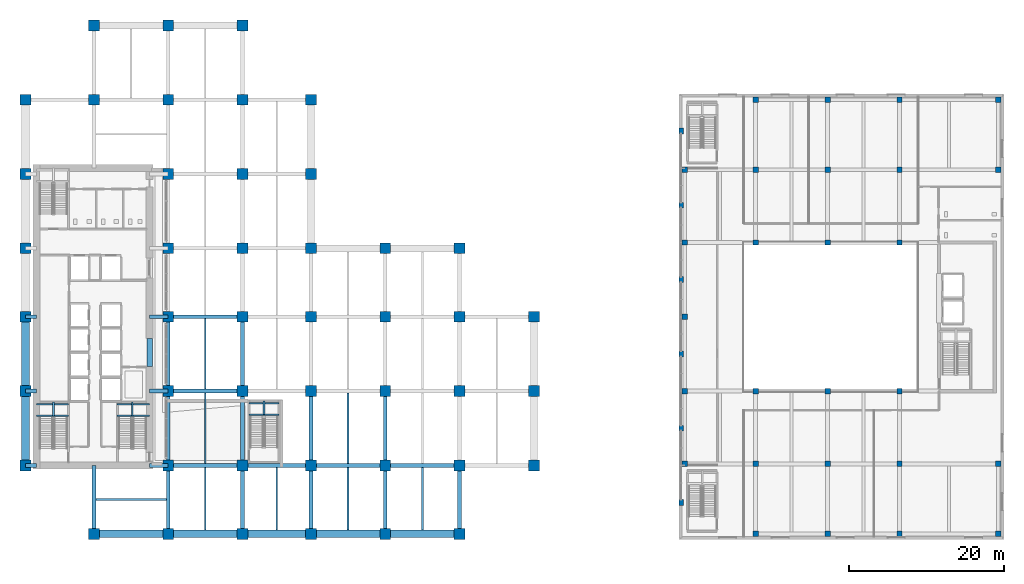
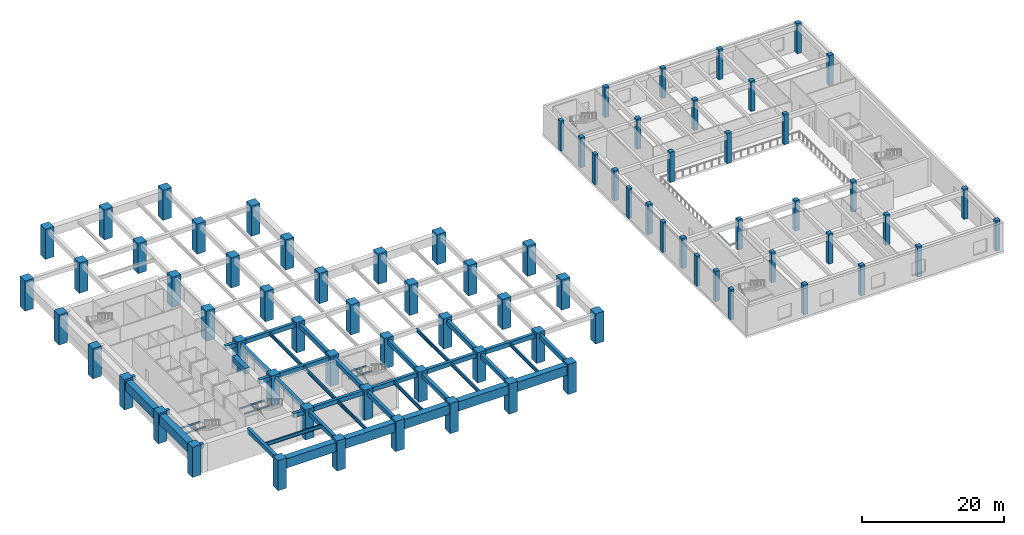
# One storey, part 1 of 22: 78 columns, 49 beams.
"""IFC4 building model written with IfcOpenShell, lengths in metres."""

from ifc_helpers import new_model, si_unit, direction, frame, origin, origin_2d, place, context, subcontext, project, spatial, rectangle, i_section, extrude, material, material_profile, profile_set, type_object, element, save


model = new_model("IFC4")

# Units and contexts
model_context = context("Model", 3, precision=1e-05, world=origin(), true_north=direction((0.0, 1.0)))
body_context = subcontext(model_context, "Body", "Model", "MODEL_VIEW")
ifc_project = project(units=[si_unit("LENGTHUNIT", "METRE"), si_unit("AREAUNIT", "SQUARE_METRE"), si_unit("VOLUMEUNIT", "CUBIC_METRE"), si_unit("PLANEANGLEUNIT", "RADIAN"), si_unit("MASSUNIT", "GRAM", prefix="KILO")], contexts=[model_context])

# Site, building, storey
site_placement = place(None, origin())
site = spatial("IfcSite", under=ifc_project, at=site_placement, CompositionType="ELEMENT")
building_placement = place(site_placement, origin())
building = spatial("IfcBuilding", under=site, at=building_placement, Name="Norrvale University Quadrangle", CompositionType="ELEMENT")
storey_placement = place(building_placement, frame((0.0, 0.0, 5.199951171875)))
storey = spatial("IfcBuildingStorey", under=building, at=storey_placement, Name="L01", CompositionType="ELEMENT", Elevation=5.199951171875)

# Columns
ifc_material_1 = material(Name="Concrete C60/75", Category="concrete")
ifc_material_profile_1 = material_profile(ifc_material_1, rectangle(XDim=0.550048828125, YDim=0.75, at=origin_2d()), Name="Concrete C60/75")
ifc_profile_set_1 = profile_set([ifc_material_profile_1], Name="Concrete C60/75")
column_type_1 = type_object("IfcColumnType", Name="Column Lib Colonnade 550", PredefinedType="PILASTER", material=ifc_profile_set_1)
for number, where, z_axis, x_axis, name in (
    (1, (85.5, 4.800048828125, 0.0), (0.0, 0.0, 1.0), (1.0, 0.0, 0.0), "Library Colonnade Pilaster L01-01"),
    (2, (85.5, 14.39990234375, 0.0), (0.0, 0.0, 1.0), (1.0, 0.0, 0.0), "Library Colonnade Pilaster L01-02"),
    (3, (85.5, 24.0, 0.0), (0.0, 0.0, 1.0), (1.0, 0.0, 0.0), "Library Colonnade Pilaster L01-03"),
    (4, (85.5, 33.60009765625, 0.0), (0.0, 0.0, 1.0), (1.0, 0.0, 0.0), "Library Colonnade Pilaster L01-04"),
    (5, (85.5, 43.199951171875, 0.0), (0.0, 0.0, 1.0), (1.0, 0.0, 0.0), "Library Colonnade Pilaster L01-05"),
    (6, (85.5, 52.800048828125, 0.0), (0.0, 0.0, 1.0), (1.0, 0.0, 0.0), "Library Colonnade Pilaster L01-06"),
):
    element("IfcColumn", number, at=place(storey_placement, frame(where, z_axis=z_axis, x_axis=x_axis)), inside=storey, type_object=column_type_1, Name=name, PredefinedType="PILASTER", context=body_context, shape_type="SweptSolid", body=[
        extrude(rectangle(XDim=0.550048828125, YDim=0.75, at=origin_2d()), origin(), (0.0, 0.0, 1.0), 5.199951171875),
    ])
ifc_material_profile_2 = material_profile(ifc_material_1, rectangle(XDim=0.699951171875, YDim=0.699951171875, at=origin_2d()), Name="Concrete C60/75")
ifc_profile_set_2 = profile_set([ifc_material_profile_2], Name="Concrete C60/75")
column_type_2 = type_object("IfcColumnType", Name="Column Lib 700x700", PredefinedType="COLUMN", material=ifc_profile_set_2)
for number, where, z_axis, x_axis, name in (
    (7, (85.949951171875, 9.800048828125, 0.0), (0.0, 0.0, 1.0), (1.0, 0.0, 0.0), "Library Column L01-L01"),
    (8, (85.949951171875, 19.199951171875, 0.0), (0.0, 0.0, 1.0), (1.0, 0.0, 0.0), "Library Column L01-L02"),
    (9, (85.949951171875, 28.800048828125, 0.0), (0.0, 0.0, 1.0), (1.0, 0.0, 0.0), "Library Column L01-L03"),
    (10, (85.949951171875, 38.39990234375, 0.0), (0.0, 0.0, 1.0), (1.0, 0.0, 0.0), "Library Column L01-L04"),
    (11, (85.949951171875, 47.800048828125, 0.0), (0.0, 0.0, 1.0), (1.0, 0.0, 0.0), "Library Column L01-L05"),
    (12, (95.10009765625, 0.75, 0.0), (0.0, 0.0, 1.0), (1.0, 0.0, 0.0), "Library Column L01-L06"),
    (13, (95.10009765625, 9.800048828125, 0.0), (0.0, 0.0, 1.0), (1.0, 0.0, 0.0), "Library Column L01-L07"),
    (14, (95.10009765625, 19.199951171875, 0.0), (0.0, 0.0, 1.0), (1.0, 0.0, 0.0), "Library Column L01-L08"),
    (15, (95.10009765625, 38.39990234375, 0.0), (0.0, 0.0, 1.0), (1.0, 0.0, 0.0), "Library Column L01-L09"),
    (16, (95.10009765625, 47.800048828125, 0.0), (0.0, 0.0, 1.0), (1.0, 0.0, 0.0), "Library Column L01-L10"),
    (17, (95.10009765625, 56.85009765625, 0.0), (0.0, 0.0, 1.0), (1.0, 0.0, 0.0), "Library Column L01-L11"),
    (18, (104.39990234375, 0.75, 0.0), (0.0, 0.0, 1.0), (1.0, 0.0, 0.0), "Library Column L01-L12"),
    (19, (104.39990234375, 9.800048828125, 0.0), (0.0, 0.0, 1.0), (1.0, 0.0, 0.0), "Library Column L01-L13"),
    (20, (104.39990234375, 19.199951171875, 0.0), (0.0, 0.0, 1.0), (1.0, 0.0, 0.0), "Library Column L01-L14"),
    (21, (104.39990234375, 38.39990234375, 0.0), (0.0, 0.0, 1.0), (1.0, 0.0, 0.0), "Library Column L01-L15"),
    (22, (104.39990234375, 47.800048828125, 0.0), (0.0, 0.0, 1.0), (1.0, 0.0, 0.0), "Library Column L01-L16"),
    (23, (104.39990234375, 56.85009765625, 0.0), (0.0, 0.0, 1.0), (1.0, 0.0, 0.0), "Library Column L01-L17"),
    (24, (113.699951171875, 0.75, 0.0), (0.0, 0.0, 1.0), (1.0, 0.0, 0.0), "Library Column L01-L18"),
    (25, (113.699951171875, 9.800048828125, 0.0), (0.0, 0.0, 1.0), (1.0, 0.0, 0.0), "Library Column L01-L19"),
    (26, (113.699951171875, 19.199951171875, 0.0), (0.0, 0.0, 1.0), (1.0, 0.0, 0.0), "Library Column L01-L20"),
    (27, (113.699951171875, 38.39990234375, 0.0), (0.0, 0.0, 1.0), (1.0, 0.0, 0.0), "Library Column L01-L21"),
    (28, (113.699951171875, 47.800048828125, 0.0), (0.0, 0.0, 1.0), (1.0, 0.0, 0.0), "Library Column L01-L22"),
    (29, (113.699951171875, 56.85009765625, 0.0), (0.0, 0.0, 1.0), (1.0, 0.0, 0.0), "Library Column L01-L23"),
    (30, (126.449951171875, 0.75, 0.0), (0.0, 0.0, 1.0), (1.0, 0.0, 0.0), "Library Column L01-L24"),
    (31, (126.449951171875, 9.800048828125, 0.0), (0.0, 0.0, 1.0), (1.0, 0.0, 0.0), "Library Column L01-L25"),
    (32, (126.449951171875, 47.800048828125, 0.0), (0.0, 0.0, 1.0), (1.0, 0.0, 0.0), "Library Column L01-L26"),
    (33, (126.449951171875, 56.85009765625, 0.0), (0.0, 0.0, 1.0), (1.0, 0.0, 0.0), "Library Column L01-L27"),
):
    element("IfcColumn", number, at=place(storey_placement, frame(where, z_axis=z_axis, x_axis=x_axis)), inside=storey, type_object=column_type_2, Name=name, PredefinedType="COLUMN", context=body_context, shape_type="SweptSolid", body=[
        extrude(rectangle(XDim=0.699951171875, YDim=0.699951171875, at=origin_2d()), origin(), (0.0, 0.0, 1.0), 5.199951171875),
    ])
ifc_material_2 = material(Name="Concrete C80/95", Category="concrete")
ifc_material_profile_3 = material_profile(ifc_material_2, rectangle(XDim=1.39990234375, YDim=1.39990234375, at=origin_2d()), Name="Concrete C80/95")
ifc_profile_set_3 = profile_set([ifc_material_profile_3], Name="Concrete C80/95")
column_type_3 = type_object("IfcColumnType", Name="Column Pilotis 1400x1400", PredefinedType="USERDEFINED", material=ifc_profile_set_3)
for number, where, z_axis, x_axis, name in (
    (34, (0.75, 9.60009765625, 0.0), (0.0, 0.0, 1.0), (1.0, 0.0, 0.0), "Tower Column L01-T01"),
    (35, (0.75, 19.199951171875, 0.0), (0.0, 0.0, 1.0), (1.0, 0.0, 0.0), "Tower Column L01-T02"),
    (36, (0.75, 28.800048828125, 0.0), (0.0, 0.0, 1.0), (1.0, 0.0, 0.0), "Tower Column L01-T03"),
    (37, (0.75, 37.64990234375, 0.0), (0.0, 0.0, 1.0), (1.0, 0.0, 0.0), "Tower Column L01-T04"),
    (38, (0.75, 47.25, 0.0), (0.0, 0.0, 1.0), (1.0, 0.0, 0.0), "Tower Column L01-T05"),
    (39, (0.75, 56.85009765625, 0.0), (0.0, 0.0, 1.0), (1.0, 0.0, 0.0), "Tower Column L01-T06"),
    (40, (9.60009765625, 0.75, 0.0), (0.0, 0.0, 1.0), (1.0, 0.0, 0.0), "Tower Column L01-T07"),
    (41, (9.60009765625, 56.85009765625, 0.0), (0.0, 0.0, 1.0), (1.0, 0.0, 0.0), "Tower Column L01-T08"),
    (42, (9.60009765625, 66.449951171875, 0.0), (0.0, 0.0, 1.0), (1.0, 0.0, 0.0), "Tower Column L01-T09"),
    (43, (19.199951171875, 0.75, 0.0), (0.0, 0.0, 1.0), (1.0, 0.0, 0.0), "Tower Column L01-T10"),
    (44, (19.199951171875, 9.60009765625, 0.0), (0.0, 0.0, 1.0), (1.0, 0.0, 0.0), "Tower Column L01-T11"),
    (45, (19.199951171875, 19.199951171875, 0.0), (0.0, 0.0, 1.0), (1.0, 0.0, 0.0), "Tower Column L01-T12"),
    (46, (19.199951171875, 28.800048828125, 0.0), (0.0, 0.0, 1.0), (1.0, 0.0, 0.0), "Tower Column L01-T13"),
    (47, (19.199951171875, 37.64990234375, 0.0), (0.0, 0.0, 1.0), (1.0, 0.0, 0.0), "Tower Column L01-T14"),
    (48, (19.199951171875, 47.25, 0.0), (0.0, 0.0, 1.0), (1.0, 0.0, 0.0), "Tower Column L01-T15"),
    (49, (19.199951171875, 56.85009765625, 0.0), (0.0, 0.0, 1.0), (1.0, 0.0, 0.0), "Tower Column L01-T16"),
    (50, (19.199951171875, 66.449951171875, 0.0), (0.0, 0.0, 1.0), (1.0, 0.0, 0.0), "Tower Column L01-T17"),
    (51, (28.800048828125, 0.75, 0.0), (0.0, 0.0, 1.0), (1.0, 0.0, 0.0), "Tower Column L01-T18"),
    (52, (28.800048828125, 9.60009765625, 0.0), (0.0, 0.0, 1.0), (1.0, 0.0, 0.0), "Tower Column L01-T19"),
    (53, (28.800048828125, 19.199951171875, 0.0), (0.0, 0.0, 1.0), (1.0, 0.0, 0.0), "Tower Column L01-T20"),
    (54, (28.800048828125, 28.800048828125, 0.0), (0.0, 0.0, 1.0), (1.0, 0.0, 0.0), "Tower Column L01-T21"),
    (55, (28.800048828125, 37.64990234375, 0.0), (0.0, 0.0, 1.0), (1.0, 0.0, 0.0), "Tower Column L01-T22"),
    (56, (28.800048828125, 47.25, 0.0), (0.0, 0.0, 1.0), (1.0, 0.0, 0.0), "Tower Column L01-T23"),
    (57, (28.800048828125, 56.85009765625, 0.0), (0.0, 0.0, 1.0), (1.0, 0.0, 0.0), "Tower Column L01-T24"),
    (58, (28.800048828125, 66.449951171875, 0.0), (0.0, 0.0, 1.0), (1.0, 0.0, 0.0), "Tower Column L01-T25"),
    (59, (37.64990234375, 0.75, 0.0), (0.0, 0.0, 1.0), (1.0, 0.0, 0.0), "Tower Column L01-T26"),
    (60, (37.64990234375, 9.60009765625, 0.0), (0.0, 0.0, 1.0), (1.0, 0.0, 0.0), "Tower Column L01-T27"),
    (61, (37.64990234375, 19.199951171875, 0.0), (0.0, 0.0, 1.0), (1.0, 0.0, 0.0), "Tower Column L01-T28"),
    (62, (37.64990234375, 28.800048828125, 0.0), (0.0, 0.0, 1.0), (1.0, 0.0, 0.0), "Tower Column L01-T29"),
    (63, (37.64990234375, 37.64990234375, 0.0), (0.0, 0.0, 1.0), (1.0, 0.0, 0.0), "Tower Column L01-T30"),
    (64, (37.64990234375, 47.25, 0.0), (0.0, 0.0, 1.0), (1.0, 0.0, 0.0), "Tower Column L01-T31"),
    (65, (37.64990234375, 56.85009765625, 0.0), (0.0, 0.0, 1.0), (1.0, 0.0, 0.0), "Tower Column L01-T32"),
    (66, (47.25, 0.75, 0.0), (0.0, 0.0, 1.0), (1.0, 0.0, 0.0), "Tower Column L01-T33"),
    (67, (47.25, 9.60009765625, 0.0), (0.0, 0.0, 1.0), (1.0, 0.0, 0.0), "Tower Column L01-T34"),
    (68, (47.25, 19.199951171875, 0.0), (0.0, 0.0, 1.0), (1.0, 0.0, 0.0), "Tower Column L01-T35"),
    (69, (47.25, 28.800048828125, 0.0), (0.0, 0.0, 1.0), (1.0, 0.0, 0.0), "Tower Column L01-T36"),
    (70, (47.25, 37.64990234375, 0.0), (0.0, 0.0, 1.0), (1.0, 0.0, 0.0), "Tower Column L01-T37"),
    (71, (56.85009765625, 0.75, 0.0), (0.0, 0.0, 1.0), (1.0, 0.0, 0.0), "Tower Column L01-T38"),
    (72, (56.85009765625, 9.60009765625, 0.0), (0.0, 0.0, 1.0), (1.0, 0.0, 0.0), "Tower Column L01-T39"),
    (73, (56.85009765625, 19.199951171875, 0.0), (0.0, 0.0, 1.0), (1.0, 0.0, 0.0), "Tower Column L01-T40"),
    (74, (56.85009765625, 28.800048828125, 0.0), (0.0, 0.0, 1.0), (1.0, 0.0, 0.0), "Tower Column L01-T41"),
    (75, (56.85009765625, 37.64990234375, 0.0), (0.0, 0.0, 1.0), (1.0, 0.0, 0.0), "Tower Column L01-T42"),
    (76, (66.449951171875, 9.60009765625, 0.0), (0.0, 0.0, 1.0), (1.0, 0.0, 0.0), "Tower Column L01-T43"),
    (77, (66.449951171875, 19.199951171875, 0.0), (0.0, 0.0, 1.0), (1.0, 0.0, 0.0), "Tower Column L01-T44"),
    (78, (66.449951171875, 28.800048828125, 0.0), (0.0, 0.0, 1.0), (1.0, 0.0, 0.0), "Tower Column L01-T45"),
):
    element("IfcColumn", number, at=place(storey_placement, frame(where, z_axis=z_axis, x_axis=x_axis)), inside=storey, type_object=column_type_3, Name=name, ObjectType="PILOTIS", PredefinedType="USERDEFINED", context=body_context, shape_type="SweptSolid", body=[
        extrude(rectangle(XDim=1.39990234375, YDim=1.39990234375, at=origin_2d()), origin(), (0.0, 0.0, 1.0), 5.199951171875),
    ])

# Beams
ifc_material_profile_4 = material_profile(ifc_material_2, rectangle(XDim=0.699951171875, YDim=0.949951171875, at=origin_2d()), Name="Concrete C80/95")
ifc_profile_set_4 = profile_set([ifc_material_profile_4], Name="Concrete C80/95")
beam_type_1 = type_object("IfcBeamType", Name="Beam Core Link 700x950", PredefinedType="LINTEL", material=ifc_profile_set_4)
beam_1_placement = place(storey_placement, frame((16.800048828125, 22.39990234375, 4.385009765625), z_axis=(0.0, 1.0, 0.0), x_axis=(-1.0, 0.0, 0.0)))
element("IfcBeam", 79, at=beam_1_placement, inside=storey, type_object=beam_type_1, Name="Core Coupling Lintel Beam L01-1", PredefinedType="LINTEL", context=body_context, shape_type="SweptSolid", body=[
    extrude(rectangle(XDim=0.699951171875, YDim=0.949951171875, at=origin_2d()), origin(), (0.0, 0.0, 1.0), 3.60009765625),
])
ifc_material_profile_5 = material_profile(ifc_material_1, rectangle(XDim=0.5, YDim=0.75, at=origin_2d()), Name="Concrete C60/75")
ifc_profile_set_5 = profile_set([ifc_material_profile_5], Name="Concrete C60/75")
beam_type_2 = type_object("IfcBeamType", Name="Beam Edge 500x750", PredefinedType="BEAM", material=ifc_profile_set_5)
beam_2_placement = place(storey_placement, frame((19.199951171875, 9.60009765625, 4.485107421875), z_axis=(1.0, 0.0, 0.0), x_axis=(0.0, 1.0, 0.0)))
element("IfcBeam", 80, at=beam_2_placement, inside=storey, type_object=beam_type_2, Name="Beam Edge 500x750 BM-L01-GX001", PredefinedType="BEAM", context=body_context, shape_type="SweptSolid", body=[
    extrude(rectangle(XDim=0.5, YDim=0.75, at=origin_2d()), origin(), (0.0, 0.0, 1.0), 9.60009765625),
])
beam_3_placement = place(storey_placement, frame((28.800048828125, 9.60009765625, 4.485107421875), z_axis=(1.0, 0.0, 0.0), x_axis=(0.0, 1.0, 0.0)))
element("IfcBeam", 81, at=beam_3_placement, inside=storey, type_object=beam_type_2, Name="Beam Edge 500x750 BM-L01-GX002", PredefinedType="BEAM", context=body_context, shape_type="SweptSolid", body=[
    extrude(rectangle(XDim=0.5, YDim=0.75, at=origin_2d()), origin(), (0.0, 0.0, 1.0), 8.849853515625),
])
for number, where, z_axis, x_axis, name in (
    (82, (37.64990234375, 9.60009765625, 4.485107421875), (1.0, 0.0, 0.0), (0.0, 1.0, 0.0), "Beam Edge 500x750 BM-L01-GX003"),
    (83, (47.25, 9.60009765625, 4.485107421875), (1.0, 0.0, 0.0), (0.0, 1.0, 0.0), "Beam Edge 500x750 BM-L01-GX004"),
    (84, (19.199951171875, 19.199951171875, 4.485107421875), (1.0, 0.0, 0.0), (0.0, 1.0, 0.0), "Beam Edge 500x750 BM-L01-GX006"),
    (85, (19.199951171875, 28.800048828125, 4.485107421875), (1.0, 0.0, 0.0), (0.0, 1.0, 0.0), "Beam Edge 500x750 BM-L01-GX011"),
):
    element("IfcBeam", number, at=place(storey_placement, frame(where, z_axis=z_axis, x_axis=x_axis)), inside=storey, type_object=beam_type_2, Name=name, PredefinedType="BEAM", context=body_context, shape_type="SweptSolid", body=[
        extrude(rectangle(XDim=0.5, YDim=0.75, at=origin_2d()), origin(), (0.0, 0.0, 1.0), 9.60009765625),
    ])
beam_4_placement = place(storey_placement, frame((19.199951171875, 0.75, 4.485107421875), z_axis=(0.0, 1.0, 0.0), x_axis=(-1.0, 0.0, 0.0)))
element("IfcBeam", 86, at=beam_4_placement, inside=storey, type_object=beam_type_2, Name="Beam Edge 500x750 BM-L01-GY025", PredefinedType="BEAM", context=body_context, shape_type="SweptSolid", body=[
    extrude(rectangle(XDim=0.5, YDim=0.75, at=origin_2d()), origin(), (0.0, 0.0, 1.0), 8.85009765625),
])
beam_5_placement = place(storey_placement, frame((19.199951171875, 9.60009765625, 4.485107421875), z_axis=(0.0, 1.0, 0.0), x_axis=(-1.0, 0.0, 0.0)))
element("IfcBeam", 87, at=beam_5_placement, inside=storey, type_object=beam_type_2, Name="Beam Edge 500x750 BM-L01-GY026", PredefinedType="BEAM", context=body_context, shape_type="SweptSolid", body=[
    extrude(rectangle(XDim=0.5, YDim=0.75, at=origin_2d()), origin(), (0.0, 0.0, 1.0), 9.599853515625),
])
beam_6_placement = place(storey_placement, frame((19.199951171875, 19.199951171875, 4.485107421875), z_axis=(0.0, 1.0, 0.0), x_axis=(-1.0, 0.0, 0.0)))
element("IfcBeam", 88, at=beam_6_placement, inside=storey, type_object=beam_type_2, Name="Beam Edge 500x750 BM-L01-GY027", PredefinedType="BEAM", context=body_context, shape_type="SweptSolid", body=[
    extrude(rectangle(XDim=0.5, YDim=0.75, at=origin_2d()), origin(), (0.0, 0.0, 1.0), 9.60009765625),
])
beam_7_placement = place(storey_placement, frame((28.800048828125, 0.75, 4.485107421875), z_axis=(0.0, 1.0, 0.0), x_axis=(-1.0, 0.0, 0.0)))
element("IfcBeam", 89, at=beam_7_placement, inside=storey, type_object=beam_type_2, Name="Beam Edge 500x750 BM-L01-GY032", PredefinedType="BEAM", context=body_context, shape_type="SweptSolid", body=[
    extrude(rectangle(XDim=0.5, YDim=0.75, at=origin_2d()), origin(), (0.0, 0.0, 1.0), 8.85009765625),
])
beam_8_placement = place(storey_placement, frame((28.800048828125, 9.60009765625, 4.485107421875), z_axis=(0.0, 1.0, 0.0), x_axis=(-1.0, 0.0, 0.0)))
element("IfcBeam", 90, at=beam_8_placement, inside=storey, type_object=beam_type_2, Name="Beam Edge 500x750 BM-L01-GY033", PredefinedType="BEAM", context=body_context, shape_type="SweptSolid", body=[
    extrude(rectangle(XDim=0.5, YDim=0.75, at=origin_2d()), origin(), (0.0, 0.0, 1.0), 9.599853515625),
])
beam_9_placement = place(storey_placement, frame((28.800048828125, 19.199951171875, 4.485107421875), z_axis=(0.0, 1.0, 0.0), x_axis=(-1.0, 0.0, 0.0)))
element("IfcBeam", 91, at=beam_9_placement, inside=storey, type_object=beam_type_2, Name="Beam Edge 500x750 BM-L01-GY034", PredefinedType="BEAM", context=body_context, shape_type="SweptSolid", body=[
    extrude(rectangle(XDim=0.5, YDim=0.75, at=origin_2d()), origin(), (0.0, 0.0, 1.0), 9.60009765625),
])
beam_10_placement = place(storey_placement, frame((37.64990234375, 0.75, 4.485107421875), z_axis=(0.0, 1.0, 0.0), x_axis=(-1.0, 0.0, 0.0)))
element("IfcBeam", 92, at=beam_10_placement, inside=storey, type_object=beam_type_2, Name="Beam Edge 500x750 BM-L01-GY039", PredefinedType="BEAM", context=body_context, shape_type="SweptSolid", body=[
    extrude(rectangle(XDim=0.5, YDim=0.75, at=origin_2d()), origin(), (0.0, 0.0, 1.0), 8.85009765625),
])
beam_11_placement = place(storey_placement, frame((37.64990234375, 9.60009765625, 4.485107421875), z_axis=(0.0, 1.0, 0.0), x_axis=(-1.0, 0.0, 0.0)))
element("IfcBeam", 93, at=beam_11_placement, inside=storey, type_object=beam_type_2, Name="Beam Edge 500x750 BM-L01-GY040", PredefinedType="BEAM", context=body_context, shape_type="SweptSolid", body=[
    extrude(rectangle(XDim=0.5, YDim=0.75, at=origin_2d()), origin(), (0.0, 0.0, 1.0), 9.599853515625),
])
beam_12_placement = place(storey_placement, frame((47.25, 0.75, 4.485107421875), z_axis=(0.0, 1.0, 0.0), x_axis=(-1.0, 0.0, 0.0)))
element("IfcBeam", 94, at=beam_12_placement, inside=storey, type_object=beam_type_2, Name="Beam Edge 500x750 BM-L01-GY043", PredefinedType="BEAM", context=body_context, shape_type="SweptSolid", body=[
    extrude(rectangle(XDim=0.5, YDim=0.75, at=origin_2d()), origin(), (0.0, 0.0, 1.0), 8.85009765625),
])
beam_13_placement = place(storey_placement, frame((47.25, 9.60009765625, 4.485107421875), z_axis=(0.0, 1.0, 0.0), x_axis=(-1.0, 0.0, 0.0)))
element("IfcBeam", 95, at=beam_13_placement, inside=storey, type_object=beam_type_2, Name="Beam Edge 500x750 BM-L01-GY044", PredefinedType="BEAM", context=body_context, shape_type="SweptSolid", body=[
    extrude(rectangle(XDim=0.5, YDim=0.75, at=origin_2d()), origin(), (0.0, 0.0, 1.0), 9.599853515625),
])
beam_14_placement = place(storey_placement, frame((56.85009765625, 0.75, 4.485107421875), z_axis=(0.0, 1.0, 0.0), x_axis=(-1.0, 0.0, 0.0)))
element("IfcBeam", 96, at=beam_14_placement, inside=storey, type_object=beam_type_2, Name="Beam Edge 500x750 BM-L01-GY047", PredefinedType="BEAM", context=body_context, shape_type="SweptSolid", body=[
    extrude(rectangle(XDim=0.5, YDim=0.75, at=origin_2d()), origin(), (0.0, 0.0, 1.0), 8.85009765625),
])
beam_15_placement = place(storey_placement, frame((0.75, 9.60009765625, 4.485107421875), z_axis=(1.0, 0.0, 0.0), x_axis=(0.0, 1.0, 0.0)))
element("IfcBeam", 97, at=beam_15_placement, inside=storey, type_object=beam_type_2, Name="Beam Edge 500x750 BM-L01-GCW051", PredefinedType="BEAM", context=body_context, shape_type="SweptSolid", body=[
    extrude(rectangle(XDim=0.5, YDim=0.75, at=origin_2d()), origin(), (0.0, 0.0, 1.0), 1.449951171875),
])
beam_16_placement = place(storey_placement, frame((16.800048828125, 9.60009765625, 4.485107421875), z_axis=(1.0, 0.0, 0.0), x_axis=(0.0, 1.0, 0.0)))
element("IfcBeam", 98, at=beam_16_placement, inside=storey, type_object=beam_type_2, Name="Beam Edge 500x750 BM-L01-GCE052", PredefinedType="BEAM", context=body_context, shape_type="SweptSolid", body=[
    extrude(rectangle(XDim=0.5, YDim=0.75, at=origin_2d()), origin(), (0.0, 0.0, 1.0), 2.39990234375),
])
beam_17_placement = place(storey_placement, frame((0.75, 19.199951171875, 4.485107421875), z_axis=(1.0, 0.0, 0.0), x_axis=(0.0, 1.0, 0.0)))
element("IfcBeam", 99, at=beam_17_placement, inside=storey, type_object=beam_type_2, Name="Beam Edge 500x750 BM-L01-GCW053", PredefinedType="BEAM", context=body_context, shape_type="SweptSolid", body=[
    extrude(rectangle(XDim=0.5, YDim=0.75, at=origin_2d()), origin(), (0.0, 0.0, 1.0), 1.449951171875),
])
beam_18_placement = place(storey_placement, frame((16.800048828125, 19.199951171875, 4.485107421875), z_axis=(1.0, 0.0, 0.0), x_axis=(0.0, 1.0, 0.0)))
element("IfcBeam", 100, at=beam_18_placement, inside=storey, type_object=beam_type_2, Name="Beam Edge 500x750 BM-L01-GCE054", PredefinedType="BEAM", context=body_context, shape_type="SweptSolid", body=[
    extrude(rectangle(XDim=0.5, YDim=0.75, at=origin_2d()), origin(), (0.0, 0.0, 1.0), 2.39990234375),
])
beam_19_placement = place(storey_placement, frame((0.75, 28.800048828125, 4.485107421875), z_axis=(1.0, 0.0, 0.0), x_axis=(0.0, 1.0, 0.0)))
element("IfcBeam", 101, at=beam_19_placement, inside=storey, type_object=beam_type_2, Name="Beam Edge 500x750 BM-L01-GCW055", PredefinedType="BEAM", context=body_context, shape_type="SweptSolid", body=[
    extrude(rectangle(XDim=0.5, YDim=0.75, at=origin_2d()), origin(), (0.0, 0.0, 1.0), 1.449951171875),
])
beam_20_placement = place(storey_placement, frame((16.800048828125, 28.800048828125, 4.485107421875), z_axis=(1.0, 0.0, 0.0), x_axis=(0.0, 1.0, 0.0)))
element("IfcBeam", 102, at=beam_20_placement, inside=storey, type_object=beam_type_2, Name="Beam Edge 500x750 BM-L01-GCE056", PredefinedType="BEAM", context=body_context, shape_type="SweptSolid", body=[
    extrude(rectangle(XDim=0.5, YDim=0.75, at=origin_2d()), origin(), (0.0, 0.0, 1.0), 2.39990234375),
])
beam_21_placement = place(storey_placement, frame((9.60009765625, 0.75, 4.485107421875), z_axis=(0.0, 1.0, 0.0), x_axis=(-1.0, 0.0, 0.0)))
element("IfcBeam", 103, at=beam_21_placement, inside=storey, type_object=beam_type_2, Name="Beam Edge 500x750 BM-L01-GCS084", PredefinedType="BEAM", context=body_context, shape_type="SweptSolid", body=[
    extrude(rectangle(XDim=0.5, YDim=0.75, at=origin_2d()), origin(), (0.0, 0.0, 1.0), 8.85009765625),
])
ifc_material_3 = material(Name="Steel 350W", Category="steel")
ifc_material_profile_6 = material_profile(ifc_material_3, i_section(OverallWidth=0.22998046875, OverallDepth=0.616943359375, WebThickness=0.01318359375, FlangeThickness=0.022216796875, FilletRadius=0.01611328125, at=origin_2d()), Name="Steel 350W")
ifc_profile_set_6 = profile_set([ifc_material_profile_6], Name="Steel 350W")
beam_type_3 = type_object("IfcBeamType", Name="Beam Floor W610x140", PredefinedType="BEAM", material=ifc_profile_set_6)
beam_22_placement = place(storey_placement, frame((24.0, 1.25, 4.551513671875), z_axis=(0.0, 1.0, 0.0), x_axis=(-1.0, 0.0, 0.0)))
element("IfcBeam", 104, at=beam_22_placement, inside=storey, type_object=beam_type_3, Name="Beam Floor W610x140 BM-L01-J062", PredefinedType="BEAM", context=body_context, shape_type="SweptSolid", body=[
    extrude(i_section(OverallWidth=0.22998046875, OverallDepth=0.616943359375, WebThickness=0.01318359375, FlangeThickness=0.022216796875, FilletRadius=0.01611328125, at=origin_2d()), origin(), (0.0, 0.0, 1.0), 8.10009765625),
])
beam_23_placement = place(storey_placement, frame((24.0, 9.85009765625, 4.551513671875), z_axis=(0.0, 1.0, 0.0), x_axis=(-1.0, 0.0, 0.0)))
element("IfcBeam", 105, at=beam_23_placement, inside=storey, type_object=beam_type_3, Name="Beam Floor W610x140 BM-L01-J063", PredefinedType="BEAM", context=body_context, shape_type="SweptSolid", body=[
    extrude(i_section(OverallWidth=0.22998046875, OverallDepth=0.616943359375, WebThickness=0.01318359375, FlangeThickness=0.022216796875, FilletRadius=0.01611328125, at=origin_2d()), origin(), (0.0, 0.0, 1.0), 9.099853515625),
])
beam_24_placement = place(storey_placement, frame((24.0, 19.449951171875, 4.551513671875), z_axis=(0.0, 1.0, 0.0), x_axis=(-1.0, 0.0, 0.0)))
element("IfcBeam", 106, at=beam_24_placement, inside=storey, type_object=beam_type_3, Name="Beam Floor W610x140 BM-L01-J064", PredefinedType="BEAM", context=body_context, shape_type="SweptSolid", body=[
    extrude(i_section(OverallWidth=0.22998046875, OverallDepth=0.616943359375, WebThickness=0.01318359375, FlangeThickness=0.022216796875, FilletRadius=0.01611328125, at=origin_2d()), origin(), (0.0, 0.0, 1.0), 9.10009765625),
])
for number, where, z_axis, x_axis, name in (
    (107, (33.22509765625, 1.25, 4.551513671875), (0.0, 1.0, 0.0), (-1.0, 0.0, 0.0), "Beam Floor W610x140 BM-L01-J069"),
    (108, (42.449951171875, 1.25, 4.551513671875), (0.0, 1.0, 0.0), (-1.0, 0.0, 0.0), "Beam Floor W610x140 BM-L01-J074"),
):
    element("IfcBeam", number, at=place(storey_placement, frame(where, z_axis=z_axis, x_axis=x_axis)), inside=storey, type_object=beam_type_3, Name=name, PredefinedType="BEAM", context=body_context, shape_type="SweptSolid", body=[
        extrude(i_section(OverallWidth=0.22998046875, OverallDepth=0.616943359375, WebThickness=0.01318359375, FlangeThickness=0.022216796875, FilletRadius=0.01611328125, at=origin_2d()), origin(), (0.0, 0.0, 1.0), 8.10009765625),
    ])
beam_25_placement = place(storey_placement, frame((42.449951171875, 9.85009765625, 4.551513671875), z_axis=(0.0, 1.0, 0.0), x_axis=(-1.0, 0.0, 0.0)))
element("IfcBeam", 109, at=beam_25_placement, inside=storey, type_object=beam_type_3, Name="Beam Floor W610x140 BM-L01-J075", PredefinedType="BEAM", context=body_context, shape_type="SweptSolid", body=[
    extrude(i_section(OverallWidth=0.22998046875, OverallDepth=0.616943359375, WebThickness=0.01318359375, FlangeThickness=0.022216796875, FilletRadius=0.01611328125, at=origin_2d()), origin(), (0.0, 0.0, 1.0), 9.099853515625),
])
beam_26_placement = place(storey_placement, frame((52.050048828125, 1.25, 4.551513671875), z_axis=(0.0, 1.0, 0.0), x_axis=(-1.0, 0.0, 0.0)))
element("IfcBeam", 110, at=beam_26_placement, inside=storey, type_object=beam_type_3, Name="Beam Floor W610x140 BM-L01-J078", PredefinedType="BEAM", context=body_context, shape_type="SweptSolid", body=[
    extrude(i_section(OverallWidth=0.22998046875, OverallDepth=0.616943359375, WebThickness=0.01318359375, FlangeThickness=0.022216796875, FilletRadius=0.01611328125, at=origin_2d()), origin(), (0.0, 0.0, 1.0), 8.10009765625),
])
beam_27_placement = place(storey_placement, frame((9.85009765625, 5.199951171875, 4.551513671875), z_axis=(1.0, 0.0, 0.0), x_axis=(0.0, 1.0, 0.0)))
element("IfcBeam", 111, at=beam_27_placement, inside=storey, type_object=beam_type_3, Name="Beam Floor W610x140 BM-L01-JCS085", PredefinedType="BEAM", context=body_context, shape_type="SweptSolid", body=[
    extrude(i_section(OverallWidth=0.22998046875, OverallDepth=0.616943359375, WebThickness=0.01318359375, FlangeThickness=0.022216796875, FilletRadius=0.01611328125, at=origin_2d()), origin(), (0.0, 0.0, 1.0), 9.099853515625),
])
ifc_material_profile_7 = material_profile(ifc_material_3, i_section(OverallWidth=0.201904296875, OverallDepth=0.2470703125, WebThickness=0.00732421875, FlangeThickness=0.010986328125, FilletRadius=0.011962890625, at=origin_2d()), Name="Steel 350W")
ifc_profile_set_7 = profile_set([ifc_material_profile_7], Name="Steel 350W")
beam_type_4 = type_object("IfcBeamType", Name="Beam Stair W250x49", PredefinedType="BEAM", material=ifc_profile_set_7)
for number, where, z_axis, x_axis, name in (
    (112, (2.199951171875, 16.010009765625, 2.276611328125), (1.0, 0.0, 0.0), (0.0, 1.0, 0.0), "Stair Mid-Landing Front Beam ST-01 L01"),
    (113, (2.199951171875, 17.469970703125, 2.276611328125), (1.0, 0.0, 0.0), (0.0, 1.0, 0.0), "Stair Mid-Landing Rear Beam ST-01 L01"),
):
    element("IfcBeam", number, at=place(storey_placement, frame(where, z_axis=z_axis, x_axis=x_axis)), inside=storey, type_object=beam_type_4, Name=name, PredefinedType="BEAM", context=body_context, shape_type="SweptSolid", body=[
        extrude(i_section(OverallWidth=0.201904296875, OverallDepth=0.2470703125, WebThickness=0.00732421875, FlangeThickness=0.010986328125, FilletRadius=0.011962890625, at=origin_2d()), origin(), (0.0, 0.0, 1.0), 4.14013671875),
    ])
for number, where, z_axis, x_axis, name in (
    (114, (12.610107421875, 16.010009765625, 2.276611328125), (1.0, 0.0, 0.0), (0.0, 1.0, 0.0), "Stair Mid-Landing Front Beam ST-03 L01"),
    (115, (12.610107421875, 17.469970703125, 2.276611328125), (1.0, 0.0, 0.0), (0.0, 1.0, 0.0), "Stair Mid-Landing Rear Beam ST-03 L01"),
):
    element("IfcBeam", number, at=place(storey_placement, frame(where, z_axis=z_axis, x_axis=x_axis)), inside=storey, type_object=beam_type_4, Name=name, PredefinedType="BEAM", context=body_context, shape_type="SweptSolid", body=[
        extrude(i_section(OverallWidth=0.201904296875, OverallDepth=0.2470703125, WebThickness=0.00732421875, FlangeThickness=0.010986328125, FilletRadius=0.011962890625, at=origin_2d()), origin(), (0.0, 0.0, 1.0), 4.18994140625),
    ])
for number, where, z_axis, x_axis, name in (
    (116, (29.610107421875, 16.159912109375, 2.276611328125), (1.0, 0.0, 0.0), (0.0, 1.0, 0.0), "Stair Mid-Landing Front Beam ST-04 L01"),
    (117, (29.610107421875, 17.6201171875, 2.276611328125), (1.0, 0.0, 0.0), (0.0, 1.0, 0.0), "Stair Mid-Landing Rear Beam ST-04 L01"),
):
    element("IfcBeam", number, at=place(storey_placement, frame(where, z_axis=z_axis, x_axis=x_axis)), inside=storey, type_object=beam_type_4, Name=name, PredefinedType="BEAM", context=body_context, shape_type="SweptSolid", body=[
        extrude(i_section(OverallWidth=0.201904296875, OverallDepth=0.2470703125, WebThickness=0.00732421875, FlangeThickness=0.010986328125, FilletRadius=0.011962890625, at=origin_2d()), origin(), (0.0, 0.0, 1.0), 3.929931640625),
    ])
ifc_material_profile_8 = material_profile(ifc_material_2, rectangle(XDim=1.0, YDim=1.60009765625, at=origin_2d()), Name="Concrete C80/95")
ifc_profile_set_8 = profile_set([ifc_material_profile_8], Name="Concrete C80/95")
beam_type_5 = type_object("IfcBeamType", Name="Beam Transfer 1000x1600", PredefinedType="USERDEFINED", material=ifc_profile_set_8)
beam_28_placement = place(storey_placement, frame((0.75, 9.60009765625, 4.06005859375), z_axis=(0.0, 1.0, 0.0), x_axis=(-1.0, 0.0, 0.0)))
element("IfcBeam", 118, at=beam_28_placement, inside=storey, type_object=beam_type_5, Name="Setback Transfer Girder L01-01", ObjectType="TRANSFER GIRDER", PredefinedType="USERDEFINED", context=body_context, shape_type="SweptSolid", body=[
    extrude(rectangle(XDim=1.0, YDim=1.60009765625, at=origin_2d()), origin(), (0.0, 0.0, 1.0), 9.599853515625),
])
beam_29_placement = place(storey_placement, frame((0.75, 19.199951171875, 4.06005859375), z_axis=(0.0, 1.0, 0.0), x_axis=(-1.0, 0.0, 0.0)))
element("IfcBeam", 119, at=beam_29_placement, inside=storey, type_object=beam_type_5, Name="Setback Transfer Girder L01-02", ObjectType="TRANSFER GIRDER", PredefinedType="USERDEFINED", context=body_context, shape_type="SweptSolid", body=[
    extrude(rectangle(XDim=1.0, YDim=1.60009765625, at=origin_2d()), origin(), (0.0, 0.0, 1.0), 9.60009765625),
])
beam_30_placement = place(storey_placement, frame((9.60009765625, 0.75, 4.06005859375), z_axis=(1.0, 0.0, 0.0), x_axis=(0.0, 1.0, 0.0)))
element("IfcBeam", 120, at=beam_30_placement, inside=storey, type_object=beam_type_5, Name="Setback Transfer Girder L01-06", ObjectType="TRANSFER GIRDER", PredefinedType="USERDEFINED", context=body_context, shape_type="SweptSolid", body=[
    extrude(rectangle(XDim=1.0, YDim=1.60009765625, at=origin_2d()), origin(), (0.0, 0.0, 1.0), 9.599853515625),
])
beam_31_placement = place(storey_placement, frame((19.199951171875, 0.75, 4.06005859375), z_axis=(1.0, 0.0, 0.0), x_axis=(0.0, 1.0, 0.0)))
element("IfcBeam", 121, at=beam_31_placement, inside=storey, type_object=beam_type_5, Name="Setback Transfer Girder L01-07", ObjectType="TRANSFER GIRDER", PredefinedType="USERDEFINED", context=body_context, shape_type="SweptSolid", body=[
    extrude(rectangle(XDim=1.0, YDim=1.60009765625, at=origin_2d()), origin(), (0.0, 0.0, 1.0), 9.60009765625),
])
beam_32_placement = place(storey_placement, frame((28.800048828125, 0.75, 4.06005859375), z_axis=(1.0, 0.0, 0.0), x_axis=(0.0, 1.0, 0.0)))
element("IfcBeam", 122, at=beam_32_placement, inside=storey, type_object=beam_type_5, Name="Setback Transfer Girder L01-08", ObjectType="TRANSFER GIRDER", PredefinedType="USERDEFINED", context=body_context, shape_type="SweptSolid", body=[
    extrude(rectangle(XDim=1.0, YDim=1.60009765625, at=origin_2d()), origin(), (0.0, 0.0, 1.0), 8.849853515625),
])
for number, where, z_axis, x_axis, name in (
    (123, (37.64990234375, 0.75, 4.06005859375), (1.0, 0.0, 0.0), (0.0, 1.0, 0.0), "Setback Transfer Girder L01-09"),
    (124, (47.25, 0.75, 4.06005859375), (1.0, 0.0, 0.0), (0.0, 1.0, 0.0), "Setback Transfer Girder L01-10"),
):
    element("IfcBeam", number, at=place(storey_placement, frame(where, z_axis=z_axis, x_axis=x_axis)), inside=storey, type_object=beam_type_5, Name=name, ObjectType="TRANSFER GIRDER", PredefinedType="USERDEFINED", context=body_context, shape_type="SweptSolid", body=[
        extrude(rectangle(XDim=1.0, YDim=1.60009765625, at=origin_2d()), origin(), (0.0, 0.0, 1.0), 9.60009765625),
    ])
ifc_material_profile_9 = material_profile(ifc_material_3, i_section(OverallWidth=0.202880859375, OverallDepth=0.202880859375, WebThickness=0.007080078125, FlangeThickness=0.010986328125, FilletRadius=0.010009765625, at=origin_2d()), Name="Steel 350W")
ifc_profile_set_9 = profile_set([ifc_material_profile_9], Name="Steel 350W")
beam_type_6 = type_object("IfcBeamType", Name="Beam Trim W200x46", PredefinedType="BEAM", material=ifc_profile_set_9)
for number, where, z_axis, x_axis, name in (
    (125, (4.375, 16.010009765625, 2.298583984375), (0.0, 1.0, 0.0), (-1.0, 0.0, 0.0), "Stair Mid-Landing Cross Beam ST-01 L01"),
    (126, (14.574951171875, 16.010009765625, 2.298583984375), (0.0, 1.0, 0.0), (-1.0, 0.0, 0.0), "Stair Mid-Landing Cross Beam ST-03 L01"),
    (127, (31.574951171875, 16.159912109375, 2.298583984375), (0.0, 1.0, 0.0), (-1.0, 0.0, 0.0), "Stair Mid-Landing Cross Beam ST-04 L01"),
):
    element("IfcBeam", number, at=place(storey_placement, frame(where, z_axis=z_axis, x_axis=x_axis)), inside=storey, type_object=beam_type_6, Name=name, PredefinedType="BEAM", context=body_context, shape_type="SweptSolid", body=[
        extrude(i_section(OverallWidth=0.202880859375, OverallDepth=0.202880859375, WebThickness=0.007080078125, FlangeThickness=0.010986328125, FilletRadius=0.010009765625, at=origin_2d()), origin(), (0.0, 0.0, 1.0), 1.780029296875),
    ])

save(model, "model.ifc")
